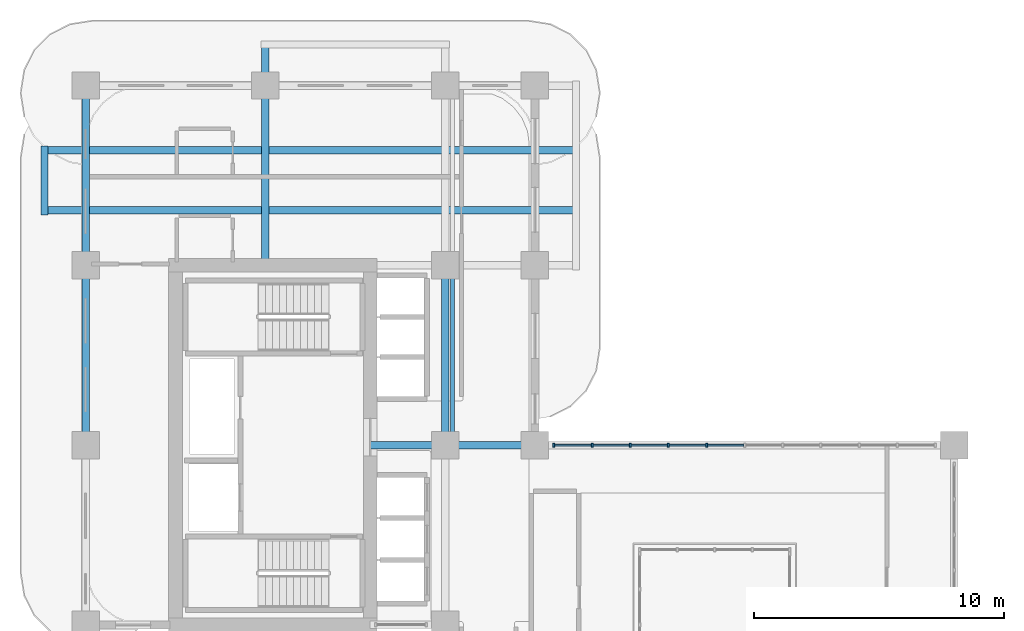
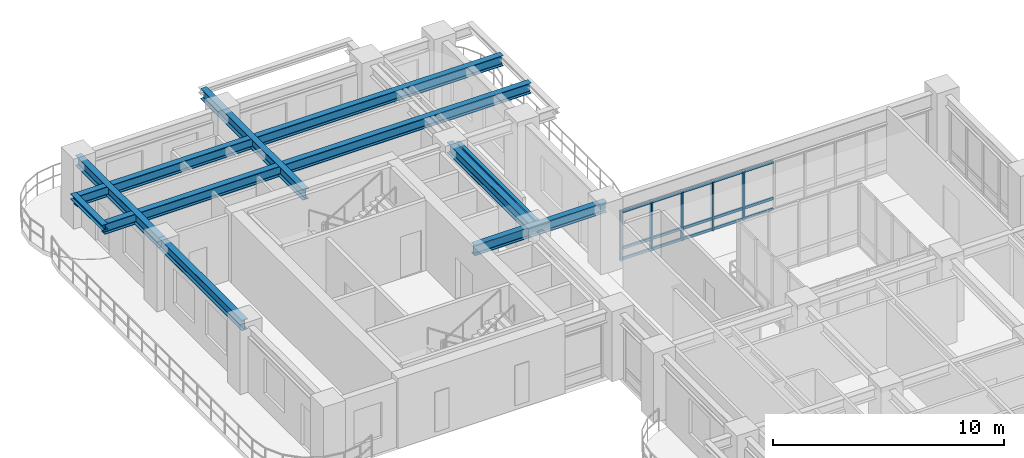
# One storey, part 6 of 22: 20 members, 9 beams, 1 element without a shape of its own.
"""IFC4 building model written with IfcOpenShell, lengths in metres."""

from ifc_helpers import new_model, si_unit, derived_unit, direction, frame, origin, origin_2d, place, context, subcontext, project, spatial, rectangle, i_section, extrude, source, transform, mapped, material, layer, layer_set, material_profile, profile_set, type_object, type_shapes, element, aggregate, save


model = new_model("IFC4")

# Units and contexts
model_context = context("Model", 3, precision=1e-05, world=origin(), true_north=direction((0.0, 1.0)))
body_context = subcontext(model_context, "Body", "Model", "MODEL_VIEW")
ifc_project = project(units=[si_unit("LENGTHUNIT", "METRE"), si_unit("AREAUNIT", "SQUARE_METRE"), si_unit("VOLUMEUNIT", "CUBIC_METRE"), si_unit("PLANEANGLEUNIT", "RADIAN"), si_unit("MASSUNIT", "GRAM", prefix="KILO"), si_unit("THERMODYNAMICTEMPERATUREUNIT", "KELVIN"), si_unit("POWERUNIT", "WATT"), derived_unit("THERMALTRANSMITTANCEUNIT", [(si_unit("POWERUNIT", "WATT"), 1), (si_unit("AREAUNIT", "SQUARE_METRE"), -1), (si_unit("THERMODYNAMICTEMPERATUREUNIT", "KELVIN"), -1)])], contexts=[model_context])

# Site, building, storey
site_placement = place(None, origin())
site = spatial("IfcSite", under=ifc_project, at=site_placement, CompositionType="ELEMENT")
building_placement = place(site_placement, origin())
building = spatial("IfcBuilding", under=site, at=building_placement, Name="Zahravan Archway Hotel and Residences", CompositionType="ELEMENT")
storey_placement = place(building_placement, frame((0.0, 0.0, 91.60009765625)))
storey = spatial("IfcBuildingStorey", under=building, at=storey_placement, Name="L22", CompositionType="ELEMENT", Elevation=91.60009765625)

# Beams
ifc_material_1 = material(Name="Structural Steel S355JR", Category="steel")
ifc_material_profile_1 = material_profile(ifc_material_1, i_section(OverallWidth=0.280029296875, OverallDepth=0.280029296875, WebThickness=0.010498046875, FlangeThickness=0.01806640625, FilletRadius=0.02392578125, at=origin_2d()), Name="HEB 280", Category="steel")
ifc_profile_set_1 = profile_set([ifc_material_profile_1], Name="Structural Steel S355JR")
beam_type_1 = type_object("IfcBeamType", Name="BM-SPN-HEB280", PredefinedType="SPANDREL", material=ifc_profile_set_1)
shared_shape_1 = source(origin(), body_context, "Body", "SweptSolid", [
    extrude(i_section(OverallWidth=0.280029296875, OverallDepth=0.280029296875, WebThickness=0.010498046875, FlangeThickness=0.01806640625, FilletRadius=0.02392578125, at=origin_2d()), origin(), (0.0, 0.0, 1.0), 2.759765625),
])
beam_1_placement = place(storey_placement, frame((-1.64990234375, 41.6201171875, 3.309814453125), z_axis=(0.0, 1.0, 0.0), x_axis=(-1.0, 0.0, 0.0)))
element("IfcBeam", 1, at=beam_1_placement, inside=storey, type_object=beam_type_1, Name="L23 WB Balcony Edge Spandrel", PredefinedType="SPANDREL", context=body_context, shape_type="MappedRepresentation", body=[
    mapped(shared_shape_1, transform((0.0, 0.0, 0.0), scale=1.0)),
])
ifc_material_profile_2 = material_profile(ifc_material_1, i_section(OverallWidth=0.300048828125, OverallDepth=0.550048828125, WebThickness=0.014892578125, FlangeThickness=0.029052734375, FilletRadius=0.027099609375, at=origin_2d()), Name="HEB 550", Category="steel")
ifc_profile_set_2 = profile_set([ifc_material_profile_2], Name="Structural Steel S355JR")
beam_type_2 = type_object("IfcBeamType", Name="BM-PRI-HEB550", PredefinedType="BEAM", material=ifc_profile_set_2)
shared_shape_2 = source(origin(), body_context, "Body", "SweptSolid", [
    extrude(i_section(OverallWidth=0.300048828125, OverallDepth=0.550048828125, WebThickness=0.014892578125, FlangeThickness=0.029052734375, FilletRadius=0.027099609375, at=origin_2d()), origin(), (0.0, 0.0, 1.0), 7.2001953125),
])
type_shapes(beam_type_2, [shared_shape_2])
for number, where, z_axis, x_axis, name in (
    (2, (0.0, 32.39990234375, 3.1748046875), (0.0, 1.0, 0.0), (-1.0, 0.0, 0.0), "L22 Primary Girder NS-29"),
    (3, (14.39990234375, 32.39990234375, 3.1748046875), (0.0, 1.0, 0.0), (-1.0, 0.0, 0.0), "L22 Primary Girder NS-37"),
):
    element("IfcBeam", number, at=place(storey_placement, frame(where, z_axis=z_axis, x_axis=x_axis)), inside=storey, type_object=beam_type_2, Name=name, PredefinedType="BEAM", context=body_context, shape_type="MappedRepresentation", body=[
        mapped(shared_shape_2, transform((0.0, 0.0, 0.0), scale=1.0)),
    ])
shared_shape_3 = source(origin(), body_context, "Body", "SweptSolid", [
    extrude(i_section(OverallWidth=0.300048828125, OverallDepth=0.550048828125, WebThickness=0.014892578125, FlangeThickness=0.029052734375, FilletRadius=0.027099609375, at=origin_2d()), origin(), (0.0, 0.0, 1.0), 7.199951171875),
])
beam_2_placement = place(storey_placement, frame((0.0, 39.60009765625, 3.1748046875), z_axis=(0.0, 1.0, 0.0), x_axis=(-1.0, 0.0, 0.0)))
element("IfcBeam", 4, at=beam_2_placement, inside=storey, type_object=beam_type_2, Name="L22 Primary Girder NS-30", PredefinedType="BEAM", context=body_context, shape_type="MappedRepresentation", body=[
    mapped(shared_shape_3, transform((0.0, 0.0, 0.0), scale=1.0)),
])
shared_shape_4 = source(origin(), body_context, "Body", "SweptSolid", [
    extrude(i_section(OverallWidth=0.300048828125, OverallDepth=0.550048828125, WebThickness=0.014892578125, FlangeThickness=0.029052734375, FilletRadius=0.027099609375, at=origin_2d()), origin(), (0.0, 0.0, 1.0), 6.60009765625),
])
beam_3_placement = place(storey_placement, frame((11.39990234375, 32.39990234375, 3.1748046875), z_axis=(1.0, 0.0, 0.0), x_axis=(0.0, 1.0, 0.0)))
element("IfcBeam", 5, at=beam_3_placement, inside=storey, type_object=beam_type_2, Name="L22 Primary Girder EW-21", PredefinedType="BEAM", context=body_context, shape_type="MappedRepresentation", body=[
    mapped(shared_shape_4, transform((0.0, 0.0, 0.0), scale=1.0)),
])
shared_shape_5 = source(origin(), body_context, "Body", "SweptSolid", [
    extrude(i_section(OverallWidth=0.300048828125, OverallDepth=0.550048828125, WebThickness=0.014892578125, FlangeThickness=0.029052734375, FilletRadius=0.027099609375, at=origin_2d()), origin(), (0.0, 0.0, 1.0), 21.2998046875),
])
for number, where, z_axis, x_axis, name in (
    (6, (-1.64990234375, 41.800048828125, 3.1748046875), (1.0, 0.0, 0.0), (0.0, 1.0, 0.0), "L22 Primary Girder EW-26"),
    (7, (-1.64990234375, 44.199951171875, 3.1748046875), (1.0, 0.0, 0.0), (0.0, 1.0, 0.0), "L22 Primary Girder EW-27"),
):
    element("IfcBeam", number, at=place(storey_placement, frame(where, z_axis=z_axis, x_axis=x_axis)), inside=storey, type_object=beam_type_2, Name=name, PredefinedType="BEAM", context=body_context, shape_type="MappedRepresentation", body=[
        mapped(shared_shape_5, transform((0.0, 0.0, 0.0), scale=1.0)),
    ])
shared_shape_6 = source(origin(), body_context, "Body", "SweptSolid", [
    extrude(i_section(OverallWidth=0.300048828125, OverallDepth=0.550048828125, WebThickness=0.014892578125, FlangeThickness=0.029052734375, FilletRadius=0.027099609375, at=origin_2d()), origin(), (0.0, 0.0, 1.0), 8.849853515625),
])
beam_4_placement = place(storey_placement, frame((7.199951171875, 39.60009765625, 3.1748046875), z_axis=(0.0, 1.0, 0.0), x_axis=(-1.0, 0.0, 0.0)))
element("IfcBeam", 8, at=beam_4_placement, inside=storey, type_object=beam_type_2, Name="L22 Primary Girder NS-31", PredefinedType="BEAM", context=body_context, shape_type="MappedRepresentation", body=[
    mapped(shared_shape_6, transform((0.0, 0.0, 0.0), scale=1.0)),
])
ifc_material_profile_3 = material_profile(ifc_material_1, i_section(OverallWidth=0.169921875, OverallDepth=0.360107421875, WebThickness=0.008056640625, FlangeThickness=0.0126953125, FilletRadius=0.01806640625, at=origin_2d()), Name="IPE 360", Category="steel")
ifc_profile_set_3 = profile_set([ifc_material_profile_3], Name="Structural Steel S355JR")
beam_type_3 = type_object("IfcBeamType", Name="BM-JST-IPE360", PredefinedType="JOIST", material=ifc_profile_set_3)
shared_shape_7 = source(origin(), body_context, "Body", "SweptSolid", [
    extrude(i_section(OverallWidth=0.169921875, OverallDepth=0.360107421875, WebThickness=0.008056640625, FlangeThickness=0.0126953125, FilletRadius=0.01806640625, at=origin_2d()), origin(), (0.0, 0.0, 1.0), 6.90380859375),
])
beam_5_placement = place(storey_placement, frame((14.699951171875, 32.548095703125, 3.27001953125), z_axis=(0.0, 1.0, 0.0), x_axis=(-1.0, 0.0, 0.0)))
element("IfcBeam", 9, at=beam_5_placement, inside=storey, type_object=beam_type_3, Name="L22 Composite Floor Joist 13", PredefinedType="JOIST", context=body_context, shape_type="MappedRepresentation", body=[
    mapped(shared_shape_7, transform((0.0, 0.0, 0.0), scale=1.0)),
])

# Curtain wall, members
ifc_material_2 = material(Name="Bronze-Anodized Unitised Aluminium & Low-E Glass", Category="aluminium")
ifc_layer = layer(ifc_material_2, 0.179931640625, Name="Bronze-Anodized Unitised Aluminium & Low-E Glass", Category="aluminium")
ifc_layer_set = layer_set([ifc_layer], Name="Bronze-Anodized Unitised Aluminium & Low-E Glass")
curtain_wall_type = type_object("IfcCurtainWallType", Name="CW-ATR-GLAZ", PredefinedType="NOTDEFINED", material=ifc_layer_set)
curtain_wall_placement = place(storey_placement, origin())
curtain_wall = element("IfcCurtainWall", 10, at=curtain_wall_placement, inside=storey, type_object=curtain_wall_type, Name="L22 Curtain Wall CW-L22-HNG-N-1", PredefinedType="NOTDEFINED")
ifc_material_3 = material(Name="Bronze-Anodized Extruded Aluminium", Category="aluminium")
ifc_material_profile_4 = material_profile(ifc_material_3, rectangle(XDim=0.080078125, YDim=0.159912109375, at=origin_2d()), Name="MUL 80x160", Category="aluminium")
ifc_profile_set_4 = profile_set([ifc_material_profile_4], Name="Bronze-Anodized Extruded Aluminium")
member_type_1 = type_object("IfcMemberType", Name="CWM-MUL-160", PredefinedType="MULLION", material=ifc_profile_set_4)
shared_shape_8 = source(origin(), body_context, "Body", "SweptSolid", [
    extrude(rectangle(XDim=0.080078125, YDim=0.159912109375, at=origin_2d()), origin(), (0.0, 0.0, 1.0), 2.635009765625),
])
member_1_placement = place(storey_placement, frame((18.760009765625, 32.39990234375, 0.0), z_axis=(0.0, 0.0, 1.0), x_axis=(1.0, 0.0, 0.0)))
member_1 = element("IfcMember", 11, at=member_1_placement, type_object=member_type_1, Name="CW-L22-HNG-N-1 Mullion 0", PredefinedType="MULLION", context=body_context, shape_type="MappedRepresentation", body=[
    mapped(shared_shape_8, transform((0.0, 0.0, 0.0), scale=1.0)),
])
member_2_placement = place(storey_placement, frame((20.2880859375, 32.39990234375, 0.0), z_axis=(0.0, 0.0, 1.0), x_axis=(1.0, 0.0, 0.0)))
member_2 = element("IfcMember", 12, at=member_2_placement, type_object=member_type_1, Name="CW-L22-HNG-N-1 Mullion 1", PredefinedType="MULLION", context=body_context, shape_type="MappedRepresentation", body=[
    mapped(shared_shape_8, transform((0.0, 0.0, 0.0), scale=1.0)),
])
member_3_placement = place(storey_placement, frame((21.81591796875, 32.39990234375, 0.0), z_axis=(0.0, 0.0, 1.0), x_axis=(1.0, 0.0, 0.0)))
member_3 = element("IfcMember", 13, at=member_3_placement, type_object=member_type_1, Name="CW-L22-HNG-N-1 Mullion 2", PredefinedType="MULLION", context=body_context, shape_type="MappedRepresentation", body=[
    mapped(shared_shape_8, transform((0.0, 0.0, 0.0), scale=1.0)),
])
member_4_placement = place(storey_placement, frame((23.343994140625, 32.39990234375, 0.0), z_axis=(0.0, 0.0, 1.0), x_axis=(1.0, 0.0, 0.0)))
member_4 = element("IfcMember", 14, at=member_4_placement, type_object=member_type_1, Name="CW-L22-HNG-N-1 Mullion 3", PredefinedType="MULLION", context=body_context, shape_type="MappedRepresentation", body=[
    mapped(shared_shape_8, transform((0.0, 0.0, 0.0), scale=1.0)),
])
member_5_placement = place(storey_placement, frame((24.8720703125, 32.39990234375, 0.0), z_axis=(0.0, 0.0, 1.0), x_axis=(1.0, 0.0, 0.0)))
member_5 = element("IfcMember", 15, at=member_5_placement, type_object=member_type_1, Name="CW-L22-HNG-N-1 Mullion 4", PredefinedType="MULLION", context=body_context, shape_type="MappedRepresentation", body=[
    mapped(shared_shape_8, transform((0.0, 0.0, 0.0), scale=1.0)),
])
ifc_material_profile_5 = material_profile(ifc_material_3, rectangle(XDim=0.080078125, YDim=0.139892578125, at=origin_2d()), Name="TRN 80x140", Category="aluminium")
ifc_profile_set_5 = profile_set([ifc_material_profile_5], Name="Bronze-Anodized Extruded Aluminium")
member_type_2 = type_object("IfcMemberType", Name="CWM-TRN-140", PredefinedType="USERDEFINED", material=ifc_profile_set_5)
shared_shape_9 = source(origin(), body_context, "Body", "SweptSolid", [
    extrude(rectangle(XDim=0.080078125, YDim=0.139892578125, at=origin_2d()), origin(), (0.0, 0.0, 1.0), 1.447998046875),
])
member_6_placement = place(storey_placement, frame((18.800048828125, 32.39990234375, 0.06982421875), z_axis=(1.0, 0.0, 0.0), x_axis=(0.0, 1.0, 0.0)))
member_6 = element("IfcMember", 16, at=member_6_placement, type_object=member_type_2, Name="CW-L22-HNG-N-1 Transom 0-1", ObjectType="TRANSOM", PredefinedType="USERDEFINED", context=body_context, shape_type="MappedRepresentation", body=[
    mapped(shared_shape_9, transform((0.0, 0.0, 0.0), scale=1.0)),
])
member_7_placement = place(storey_placement, frame((18.800048828125, 32.39990234375, 0.63232421875), z_axis=(1.0, 0.0, 0.0), x_axis=(0.0, 1.0, 0.0)))
member_7 = element("IfcMember", 17, at=member_7_placement, type_object=member_type_2, Name="CW-L22-HNG-N-1 Transom 0-2", ObjectType="TRANSOM", PredefinedType="USERDEFINED", context=body_context, shape_type="MappedRepresentation", body=[
    mapped(shared_shape_9, transform((0.0, 0.0, 0.0), scale=1.0)),
])
member_8_placement = place(storey_placement, frame((18.800048828125, 32.39990234375, 2.56494140625), z_axis=(1.0, 0.0, 0.0), x_axis=(0.0, 1.0, 0.0)))
member_8 = element("IfcMember", 18, at=member_8_placement, type_object=member_type_2, Name="CW-L22-HNG-N-1 Transom 0-3", ObjectType="TRANSOM", PredefinedType="USERDEFINED", context=body_context, shape_type="MappedRepresentation", body=[
    mapped(shared_shape_9, transform((0.0, 0.0, 0.0), scale=1.0)),
])
member_9_placement = place(storey_placement, frame((20.327880859375, 32.39990234375, 0.06982421875), z_axis=(1.0, 0.0, 0.0), x_axis=(0.0, 1.0, 0.0)))
member_9 = element("IfcMember", 19, at=member_9_placement, type_object=member_type_2, Name="CW-L22-HNG-N-1 Transom 1-1", ObjectType="TRANSOM", PredefinedType="USERDEFINED", context=body_context, shape_type="MappedRepresentation", body=[
    mapped(shared_shape_9, transform((0.0, 0.0, 0.0), scale=1.0)),
])
member_10_placement = place(storey_placement, frame((20.327880859375, 32.39990234375, 0.63232421875), z_axis=(1.0, 0.0, 0.0), x_axis=(0.0, 1.0, 0.0)))
member_10 = element("IfcMember", 20, at=member_10_placement, type_object=member_type_2, Name="CW-L22-HNG-N-1 Transom 1-2", ObjectType="TRANSOM", PredefinedType="USERDEFINED", context=body_context, shape_type="MappedRepresentation", body=[
    mapped(shared_shape_9, transform((0.0, 0.0, 0.0), scale=1.0)),
])
member_11_placement = place(storey_placement, frame((20.327880859375, 32.39990234375, 2.56494140625), z_axis=(1.0, 0.0, 0.0), x_axis=(0.0, 1.0, 0.0)))
member_11 = element("IfcMember", 21, at=member_11_placement, type_object=member_type_2, Name="CW-L22-HNG-N-1 Transom 1-3", ObjectType="TRANSOM", PredefinedType="USERDEFINED", context=body_context, shape_type="MappedRepresentation", body=[
    mapped(shared_shape_9, transform((0.0, 0.0, 0.0), scale=1.0)),
])
member_12_placement = place(storey_placement, frame((21.85595703125, 32.39990234375, 0.06982421875), z_axis=(1.0, 0.0, 0.0), x_axis=(0.0, 1.0, 0.0)))
member_12 = element("IfcMember", 22, at=member_12_placement, type_object=member_type_2, Name="CW-L22-HNG-N-1 Transom 2-1", ObjectType="TRANSOM", PredefinedType="USERDEFINED", context=body_context, shape_type="MappedRepresentation", body=[
    mapped(shared_shape_9, transform((0.0, 0.0, 0.0), scale=1.0)),
])
member_13_placement = place(storey_placement, frame((21.85595703125, 32.39990234375, 0.63232421875), z_axis=(1.0, 0.0, 0.0), x_axis=(0.0, 1.0, 0.0)))
member_13 = element("IfcMember", 23, at=member_13_placement, type_object=member_type_2, Name="CW-L22-HNG-N-1 Transom 2-2", ObjectType="TRANSOM", PredefinedType="USERDEFINED", context=body_context, shape_type="MappedRepresentation", body=[
    mapped(shared_shape_9, transform((0.0, 0.0, 0.0), scale=1.0)),
])
member_14_placement = place(storey_placement, frame((21.85595703125, 32.39990234375, 2.56494140625), z_axis=(1.0, 0.0, 0.0), x_axis=(0.0, 1.0, 0.0)))
member_14 = element("IfcMember", 24, at=member_14_placement, type_object=member_type_2, Name="CW-L22-HNG-N-1 Transom 2-3", ObjectType="TRANSOM", PredefinedType="USERDEFINED", context=body_context, shape_type="MappedRepresentation", body=[
    mapped(shared_shape_9, transform((0.0, 0.0, 0.0), scale=1.0)),
])
member_15_placement = place(storey_placement, frame((23.384033203125, 32.39990234375, 0.06982421875), z_axis=(1.0, 0.0, 0.0), x_axis=(0.0, 1.0, 0.0)))
member_15 = element("IfcMember", 25, at=member_15_placement, type_object=member_type_2, Name="CW-L22-HNG-N-1 Transom 3-1", ObjectType="TRANSOM", PredefinedType="USERDEFINED", context=body_context, shape_type="MappedRepresentation", body=[
    mapped(shared_shape_9, transform((0.0, 0.0, 0.0), scale=1.0)),
])
member_16_placement = place(storey_placement, frame((23.384033203125, 32.39990234375, 0.63232421875), z_axis=(1.0, 0.0, 0.0), x_axis=(0.0, 1.0, 0.0)))
member_16 = element("IfcMember", 26, at=member_16_placement, type_object=member_type_2, Name="CW-L22-HNG-N-1 Transom 3-2", ObjectType="TRANSOM", PredefinedType="USERDEFINED", context=body_context, shape_type="MappedRepresentation", body=[
    mapped(shared_shape_9, transform((0.0, 0.0, 0.0), scale=1.0)),
])
member_17_placement = place(storey_placement, frame((23.384033203125, 32.39990234375, 2.56494140625), z_axis=(1.0, 0.0, 0.0), x_axis=(0.0, 1.0, 0.0)))
member_17 = element("IfcMember", 27, at=member_17_placement, type_object=member_type_2, Name="CW-L22-HNG-N-1 Transom 3-3", ObjectType="TRANSOM", PredefinedType="USERDEFINED", context=body_context, shape_type="MappedRepresentation", body=[
    mapped(shared_shape_9, transform((0.0, 0.0, 0.0), scale=1.0)),
])
member_18_placement = place(storey_placement, frame((24.912109375, 32.39990234375, 0.06982421875), z_axis=(1.0, 0.0, 0.0), x_axis=(0.0, 1.0, 0.0)))
member_18 = element("IfcMember", 28, at=member_18_placement, type_object=member_type_2, Name="CW-L22-HNG-N-1 Transom 4-1", ObjectType="TRANSOM", PredefinedType="USERDEFINED", context=body_context, shape_type="MappedRepresentation", body=[
    mapped(shared_shape_9, transform((0.0, 0.0, 0.0), scale=1.0)),
])
member_19_placement = place(storey_placement, frame((24.912109375, 32.39990234375, 0.63232421875), z_axis=(1.0, 0.0, 0.0), x_axis=(0.0, 1.0, 0.0)))
member_19 = element("IfcMember", 29, at=member_19_placement, type_object=member_type_2, Name="CW-L22-HNG-N-1 Transom 4-2", ObjectType="TRANSOM", PredefinedType="USERDEFINED", context=body_context, shape_type="MappedRepresentation", body=[
    mapped(shared_shape_9, transform((0.0, 0.0, 0.0), scale=1.0)),
])
member_20_placement = place(storey_placement, frame((24.912109375, 32.39990234375, 2.56494140625), z_axis=(1.0, 0.0, 0.0), x_axis=(0.0, 1.0, 0.0)))
member_20 = element("IfcMember", 30, at=member_20_placement, type_object=member_type_2, Name="CW-L22-HNG-N-1 Transom 4-3", ObjectType="TRANSOM", PredefinedType="USERDEFINED", context=body_context, shape_type="MappedRepresentation", body=[
    mapped(shared_shape_9, transform((0.0, 0.0, 0.0), scale=1.0)),
])
aggregate(curtain_wall, [member_1, member_2, member_3, member_4, member_5, member_6, member_7, member_8, member_9, member_10, member_11, member_12, member_13, member_14, member_15, member_16, member_17, member_18, member_19, member_20])

save(model, "model.ifc")
